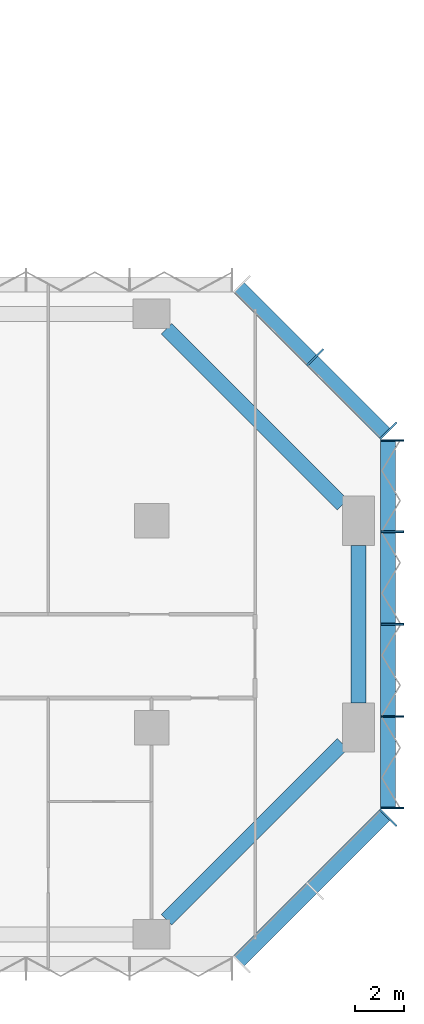
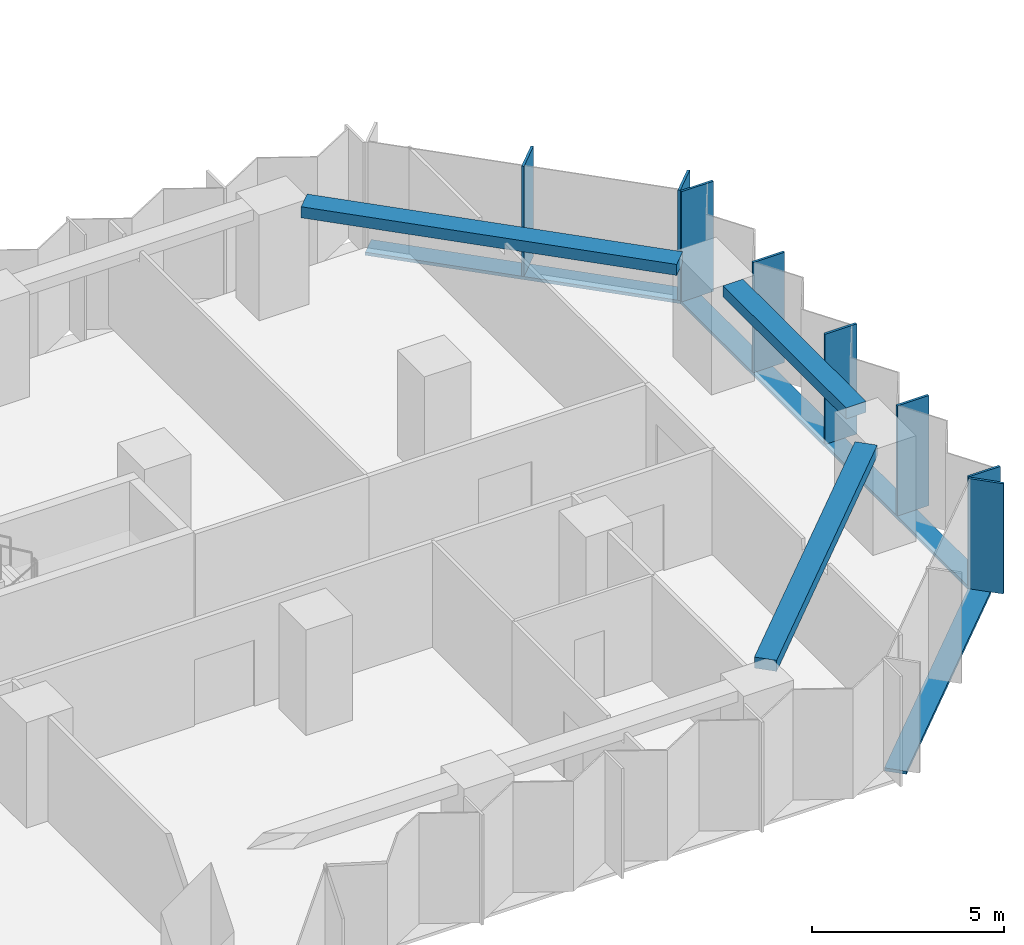
# One storey, part 4 of 15: 11 members, 3 beams, 3 elements without a shape of their own.
"""IFC4 building model written with IfcOpenShell, lengths in metres."""

from ifc_helpers import new_model, si_unit, direction, frame, origin, origin_2d, place, context, subcontext, project, spatial, rectangle, extrude, material, material_profile, profile_set, type_object, element, aggregate, save


model = new_model("IFC4")

# Units and contexts
model_context = context("Model", 3, precision=1e-05, world=origin(), true_north=direction((0.0, 1.0)))
body_context = subcontext(model_context, "Body", "Model", "MODEL_VIEW")
ifc_project = project(units=[si_unit("LENGTHUNIT", "METRE"), si_unit("AREAUNIT", "SQUARE_METRE"), si_unit("VOLUMEUNIT", "CUBIC_METRE"), si_unit("PLANEANGLEUNIT", "RADIAN"), si_unit("MASSUNIT", "GRAM", prefix="KILO")], contexts=[model_context])

# Site, building, storey
site_placement = place(None, origin())
site = spatial("IfcSite", under=ifc_project, at=site_placement, CompositionType="ELEMENT")
building_placement = place(site_placement, origin())
building = spatial("IfcBuilding", under=site, at=building_placement, Name="Brevane Broadcast Tower", CompositionType="ELEMENT")
storey_placement = place(building_placement, frame((0.0, 0.0, 65.300048828125)))
storey = spatial("IfcBuildingStorey", under=building, at=storey_placement, Name="L14", CompositionType="ELEMENT", Elevation=65.300048828125)

# Curtain wall, member
ifc_material_1 = material(Name="Aluminium 6063-T6 bronze anodised", Category="aluminium")
curtain_wall_type = type_object("IfcCurtainWallType", Name="CW-1 curtain wall", PredefinedType="NOTDEFINED", material=ifc_material_1)
curtain_wall_1_placement = place(storey_placement, origin())
curtain_wall_1 = element("IfcCurtainWall", 1, at=curtain_wall_1_placement, inside=storey, type_object=curtain_wall_type, Name="CW-1 typical tilted unit L14 south-east chamfer", PredefinedType="NOTDEFINED")
ifc_material_profile_1 = material_profile(ifc_material_1, rectangle(XDim=0.949951171875, YDim=0.070068359375, at=origin_2d()), Name="RECT 70x950")
ifc_profile_set_1 = profile_set([ifc_material_profile_1], Name="Aluminium 6063-T6 bronze anodised")
member_type_1 = type_object("IfcMemberType", Name="CW-1 mullion 70x950", PredefinedType="MULLION", material=ifc_profile_set_1)
member_1_placement = place(storey_placement, frame((68.4111328125, 4.7392578125, -0.150146484375), z_axis=(0.0, 0.0, 1.0), x_axis=(-0.707106781187, 0.707106781187, 0.0)))
member_1 = element("IfcMember", 2, at=member_1_placement, type_object=member_type_1, Name="CW-1 mullion", PredefinedType="MULLION", context=body_context, shape_type="SweptSolid", body=[
    extrude(rectangle(XDim=0.949951171875, YDim=0.070068359375, at=origin_2d()), origin(), (0.0, 0.0, 1.0), 3.5),
])

# Curtain wall, members
curtain_wall_2_placement = place(storey_placement, origin())
curtain_wall_2 = element("IfcCurtainWall", 3, at=curtain_wall_2_placement, inside=storey, type_object=curtain_wall_type, Name="CW-1 typical tilted unit L14 east end", PredefinedType="NOTDEFINED")
member_2_placement = place(storey_placement, frame((68.574951171875, 5.135009765625, -0.150146484375), z_axis=(0.0, 0.0, 1.0), x_axis=(-1.0, 0.0, 0.0)))
member_2 = element("IfcMember", 4, at=member_2_placement, type_object=member_type_1, Name="CW-1 mullion", PredefinedType="MULLION", context=body_context, shape_type="SweptSolid", body=[
    extrude(rectangle(XDim=0.949951171875, YDim=0.070068359375, at=origin_2d()), origin(), (0.0, 0.0, 1.0), 3.5),
])
member_3_placement = place(storey_placement, frame((68.574951171875, 8.85009765625, -0.150146484375), z_axis=(0.0, 0.0, 1.0), x_axis=(-1.0, 0.0, 0.0)))
member_3 = element("IfcMember", 5, at=member_3_placement, type_object=member_type_1, Name="CW-1 mullion", PredefinedType="MULLION", context=body_context, shape_type="SweptSolid", body=[
    extrude(rectangle(XDim=0.949951171875, YDim=0.070068359375, at=origin_2d()), origin(), (0.0, 0.0, 1.0), 3.5),
])
member_4_placement = place(storey_placement, frame((68.574951171875, 12.60009765625, -0.150146484375), z_axis=(0.0, 0.0, 1.0), x_axis=(-1.0, 0.0, 0.0)))
member_4 = element("IfcMember", 6, at=member_4_placement, type_object=member_type_1, Name="CW-1 mullion", PredefinedType="MULLION", context=body_context, shape_type="SweptSolid", body=[
    extrude(rectangle(XDim=0.949951171875, YDim=0.070068359375, at=origin_2d()), origin(), (0.0, 0.0, 1.0), 3.5),
])
member_5_placement = place(storey_placement, frame((68.574951171875, 16.35009765625, -0.150146484375), z_axis=(0.0, 0.0, 1.0), x_axis=(-1.0, 0.0, 0.0)))
member_5 = element("IfcMember", 7, at=member_5_placement, type_object=member_type_1, Name="CW-1 mullion", PredefinedType="MULLION", context=body_context, shape_type="SweptSolid", body=[
    extrude(rectangle(XDim=0.949951171875, YDim=0.070068359375, at=origin_2d()), origin(), (0.0, 0.0, 1.0), 3.5),
])
member_6_placement = place(storey_placement, frame((68.574951171875, 20.06494140625, -0.150146484375), z_axis=(0.0, 0.0, 1.0), x_axis=(-1.0, 0.0, 0.0)))
member_6 = element("IfcMember", 8, at=member_6_placement, type_object=member_type_1, Name="CW-1 mullion", PredefinedType="MULLION", context=body_context, shape_type="SweptSolid", body=[
    extrude(rectangle(XDim=0.949951171875, YDim=0.070068359375, at=origin_2d()), origin(), (0.0, 0.0, 1.0), 3.5),
])

curtain_wall_3_placement = place(storey_placement, origin())
curtain_wall_3 = element("IfcCurtainWall", 9, at=curtain_wall_3_placement, inside=storey, type_object=curtain_wall_type, Name="CW-1 typical tilted unit L14 north-east chamfer", PredefinedType="NOTDEFINED")
member_7_placement = place(storey_placement, frame((68.4111328125, 20.460693359375, -0.150146484375), z_axis=(0.0, 0.0, 1.0), x_axis=(-0.707106781187, -0.707106781187, 0.0)))
member_7 = element("IfcMember", 10, at=member_7_placement, type_object=member_type_1, Name="CW-1 mullion", PredefinedType="MULLION", context=body_context, shape_type="SweptSolid", body=[
    extrude(rectangle(XDim=0.949951171875, YDim=0.070068359375, at=origin_2d()), origin(), (0.0, 0.0, 1.0), 3.5),
])
member_8_placement = place(storey_placement, frame((65.435791015625, 23.435791015625, -0.150146484375), z_axis=(0.0, 0.0, 1.0), x_axis=(-0.707106781187, -0.707106781187, 0.0)))
member_8 = element("IfcMember", 11, at=member_8_placement, type_object=member_type_1, Name="CW-1 mullion", PredefinedType="MULLION", context=body_context, shape_type="SweptSolid", body=[
    extrude(rectangle(XDim=0.949951171875, YDim=0.070068359375, at=origin_2d()), origin(), (0.0, 0.0, 1.0), 3.5),
])

# Member
ifc_material_profile_2 = material_profile(ifc_material_1, rectangle(XDim=0.60009765625, YDim=0.10009765625, at=origin_2d()), Name="RECT 100x600")
ifc_profile_set_2 = profile_set([ifc_material_profile_2], Name="Aluminium 6063-T6 bronze anodised")
member_type_2 = type_object("IfcMemberType", Name="CW-1 transom 100x600", PredefinedType="USERDEFINED", material=ifc_profile_set_2)
member_9_placement = place(storey_placement, frame((62.31201171875, -1.112060546875, -0.199951171875), z_axis=(0.707106781187, 0.707106781187, 0.0), x_axis=(-0.707106781187, 0.707106781187, 0.0)))
member_9 = element("IfcMember", 12, at=member_9_placement, type_object=member_type_2, Name="CW-1 transom", ObjectType="TRANSOM", PredefinedType="USERDEFINED", context=body_context, shape_type="SweptSolid", body=[
    extrude(rectangle(XDim=0.60009765625, YDim=0.10009765625, at=origin_2d()), origin(), (0.0, 0.0, 1.0), 8.4853515625),
])

aggregate(curtain_wall_1, [member_1, member_9])

member_10_placement = place(storey_placement, frame((68.39990234375, 5.10009765625, -0.199951171875), z_axis=(0.0, 1.0, 0.0), x_axis=(-1.0, 0.0, 0.0)))
member_10 = element("IfcMember", 13, at=member_10_placement, type_object=member_type_2, Name="CW-1 transom", ObjectType="TRANSOM", PredefinedType="USERDEFINED", context=body_context, shape_type="SweptSolid", body=[
    extrude(rectangle(XDim=0.60009765625, YDim=0.10009765625, at=origin_2d()), origin(), (0.0, 0.0, 1.0), 15.0),
])

aggregate(curtain_wall_2, [member_2, member_3, member_4, member_5, member_6, member_10])

member_11_placement = place(storey_placement, frame((68.31201171875, 20.31201171875, -0.199951171875), z_axis=(-0.707106781187, 0.707106781187, 0.0), x_axis=(-0.707106781187, -0.707106781187, 0.0)))
member_11 = element("IfcMember", 14, at=member_11_placement, type_object=member_type_2, Name="CW-1 transom", ObjectType="TRANSOM", PredefinedType="USERDEFINED", context=body_context, shape_type="SweptSolid", body=[
    extrude(rectangle(XDim=0.60009765625, YDim=0.10009765625, at=origin_2d()), origin(), (0.0, 0.0, 1.0), 8.4853515625),
])

aggregate(curtain_wall_3, [member_7, member_8, member_11])

# Beams
ifc_material_2 = material(Name="Concrete C40/50", Category="concrete")
ifc_material_profile_3 = material_profile(ifc_material_2, rectangle(XDim=0.60009765625, YDim=0.35009765625, at=origin_2d()), Name="RC 600x350")
ifc_profile_set_3 = profile_set([ifc_material_profile_3], Name="Concrete C40/50")
beam_type = type_object("IfcBeamType", Name="RC SPANDREL BEAM 600x350 C40/50", PredefinedType="SPANDREL", material=ifc_profile_set_3)
beam_1_placement = place(storey_placement, frame((59.39990234375, 0.60009765625, 3.175048828125), z_axis=(0.707118853314, 0.707094708853, 0.0), x_axis=(-0.707094708853, 0.707118853314, 0.0)))
element("IfcBeam", 15, at=beam_1_placement, inside=storey, type_object=beam_type, Name="EB1 L14-5", PredefinedType="SPANDREL", context=body_context, shape_type="SweptSolid", body=[
    extrude(rectangle(XDim=0.60009765625, YDim=0.35009765625, at=origin_2d()), origin(), (0.0, 0.0, 1.0), 10.111572265625),
])
beam_2_placement = place(storey_placement, frame((67.199951171875, 9.39990234375, 3.175048828125), z_axis=(0.0, 1.0, 0.0), x_axis=(-1.0, 0.0, 0.0)))
element("IfcBeam", 16, at=beam_2_placement, inside=storey, type_object=beam_type, Name="EB1 L14-6", PredefinedType="SPANDREL", context=body_context, shape_type="SweptSolid", body=[
    extrude(rectangle(XDim=0.60009765625, YDim=0.35009765625, at=origin_2d()), origin(), (0.0, 0.0, 1.0), 6.400146484375),
])
beam_3_placement = place(storey_placement, frame((66.550048828125, 17.449951171875, 3.175048828125), z_axis=(-0.707106781187, 0.707106781187, 0.0), x_axis=(-0.707106781187, -0.707106781187, 0.0)))
element("IfcBeam", 17, at=beam_3_placement, inside=storey, type_object=beam_type, Name="EB1 L14-7", PredefinedType="SPANDREL", context=body_context, shape_type="SweptSolid", body=[
    extrude(rectangle(XDim=0.60009765625, YDim=0.35009765625, at=origin_2d()), origin(), (0.0, 0.0, 1.0), 10.11181640625),
])

save(model, "model.ifc")
